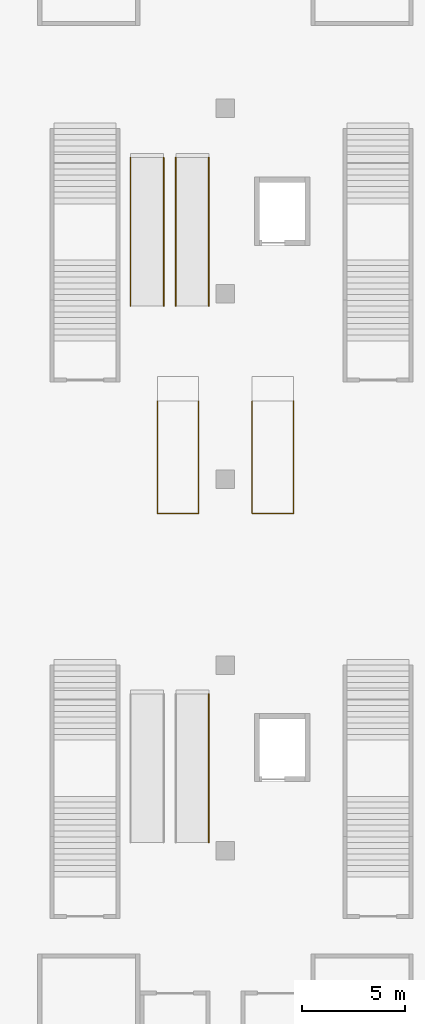
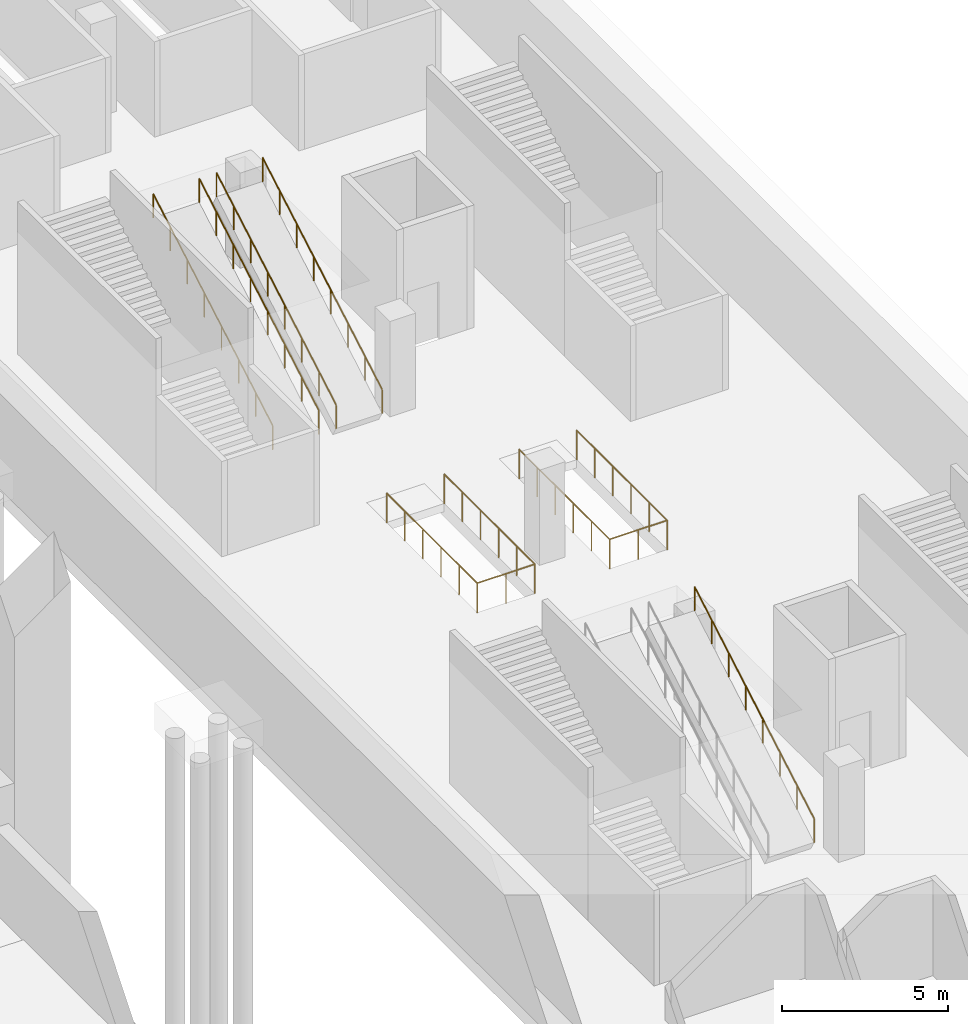
# One storey, part 112 of 115: 7 railings.
"""IFC4 building model written with IfcOpenShell, lengths in metres."""

from ifc_helpers import new_model, si_unit, direction, frame, origin, origin_2d, place, context, subcontext, project, spatial, circle, extrude, material, type_object, element, save


model = new_model("IFC4")

# Units and contexts
model_context = context("Model", 3, precision=1e-05, world=origin(), true_north=direction((0.0, 1.0)))
body_context = subcontext(model_context, "Body", "Model", "MODEL_VIEW")
ifc_project = project(units=[si_unit("LENGTHUNIT", "METRE"), si_unit("AREAUNIT", "SQUARE_METRE"), si_unit("VOLUMEUNIT", "CUBIC_METRE"), si_unit("PLANEANGLEUNIT", "RADIAN"), si_unit("MASSUNIT", "GRAM", prefix="KILO")], contexts=[model_context])

# Site, building, storey
site_placement = place(None, origin())
site = spatial("IfcSite", under=ifc_project, at=site_placement, CompositionType="ELEMENT")
building_placement = place(site_placement, origin())
building = spatial("IfcBuilding", under=site, at=building_placement, Name="Ogive Plaza Stadium", CompositionType="ELEMENT")
storey_placement = place(building_placement, frame((0.0, 0.0, -4.5)))
storey = spatial("IfcBuildingStorey", under=building, at=storey_placement, Name="B1", CompositionType="ELEMENT", Elevation=-4.5)

# Railings
ifc_material_1 = material(Name="Stainless steel", Category="steel")
railing_type_1 = type_object("IfcRailingType", Name="Escalator handrail 900", PredefinedType="HANDRAIL", material=ifc_material_1)
for number, where, name in (
    (1, (106.699951171875, -17.59423828125, 0.346435546875), "Escalator ES4 handrail 2"),
    (2, (102.89990234375, 8.40576171875, 0.346435546875), "Escalator ES5 handrail 1"),
    (3, (104.5, 8.40576171875, 0.346435546875), "Escalator ES5 handrail 2"),
    (4, (105.10009765625, 8.40576171875, 0.346435546875), "Escalator ES6 handrail 1"),
    (5, (106.699951171875, 8.40576171875, 0.346435546875), "Escalator ES6 handrail 2"),
):
    element("IfcRailing", number, at=place(storey_placement, frame(where)), inside=storey, type_object=railing_type_1, Name=name, PredefinedType="HANDRAIL", context=body_context, shape_type="SweptSolid", body=[
        extrude(circle(Radius=0.02392578125, at=origin_2d()), frame((0.0, 0.0, 0.8759765625), z_axis=(0.0, 0.866029956157, 0.499992114976), x_axis=(-1.0, 0.0, 0.0)), (0.0, 0.0, 1.0), 8.307373046875),
        extrude(circle(Radius=0.02099609375, at=origin_2d()), origin(), (0.0, 0.0, 1.0), 0.851806640625),
        extrude(circle(Radius=0.02099609375, at=origin_2d()), frame((0.0, 1.02783203125, 0.59326171875)), (0.0, 0.0, 1.0), 0.851806640625),
        extrude(circle(Radius=0.02099609375, at=origin_2d()), frame((0.0, 2.055419921875, 1.186767578125)), (0.0, 0.0, 1.0), 0.851806640625),
        extrude(circle(Radius=0.02099609375, at=origin_2d()), frame((0.0, 3.083251953125, 1.780029296875)), (0.0, 0.0, 1.0), 0.851806640625),
        extrude(circle(Radius=0.02099609375, at=origin_2d()), frame((0.0, 4.111083984375, 2.37353515625)), (0.0, 0.0, 1.0), 0.851806640625),
        extrude(circle(Radius=0.02099609375, at=origin_2d()), frame((0.0, 5.138916015625, 2.966796875)), (0.0, 0.0, 1.0), 0.851806640625),
        extrude(circle(Radius=0.02099609375, at=origin_2d()), frame((0.0, 6.16650390625, 3.560302734375)), (0.0, 0.0, 1.0), 0.851806640625),
        extrude(circle(Radius=0.02099609375, at=origin_2d()), frame((0.0, 7.1943359375, 4.153564453125)), (0.0, 0.0, 1.0), 0.851806640625),
    ])
ifc_material_2 = material(Name="Stainless steel", Category="steel")
railing_type_2 = type_object("IfcRailingType", Name="Station guard 1100", PredefinedType="GUARDRAIL", material=ifc_material_2)
railing_1_placement = place(storey_placement, frame((104.199951171875, 3.800048828125, 0.0)))
element("IfcRailing", 6, at=railing_1_placement, inside=storey, type_object=railing_type_2, Name="Station guard 1100 GR-ES1", PredefinedType="GUARDRAIL", context=body_context, shape_type="SweptSolid", body=[
    extrude(circle(Radius=0.02392578125, at=origin_2d()), frame((0.0, 0.0, 1.076171875), z_axis=(0.0, -1.0, 0.0), x_axis=(1.0, 0.0, 0.0)), (0.0, 0.0, 1.0), 5.44970703125),
    extrude(circle(Radius=0.02392578125, at=origin_2d()), frame((0.0, -5.44970703125, 1.076171875), z_axis=(1.0, 0.0, 0.0), x_axis=(0.0, 1.0, 0.0)), (0.0, 0.0, 1.0), 2.0),
    extrude(circle(Radius=0.02392578125, at=origin_2d()), frame((2.0, -5.44970703125, 1.076171875), z_axis=(0.0, 1.0, 0.0), x_axis=(-1.0, 0.0, 0.0)), (0.0, 0.0, 1.0), 5.44970703125),
    extrude(circle(Radius=0.02099609375, at=origin_2d()), origin(), (0.0, 0.0, 1.0), 1.052001953125),
    extrude(circle(Radius=0.02099609375, at=origin_2d()), frame((0.0, -1.08984375, 0.0)), (0.0, 0.0, 1.0), 1.052001953125),
    extrude(circle(Radius=0.02099609375, at=origin_2d()), frame((0.0, -2.179931640625, 0.0)), (0.0, 0.0, 1.0), 1.052001953125),
    extrude(circle(Radius=0.02099609375, at=origin_2d()), frame((0.0, -3.269775390625, 0.0)), (0.0, 0.0, 1.0), 1.052001953125),
    extrude(circle(Radius=0.02099609375, at=origin_2d()), frame((0.0, -4.35986328125, 0.0)), (0.0, 0.0, 1.0), 1.052001953125),
    extrude(circle(Radius=0.02099609375, at=origin_2d()), frame((0.0, -5.44970703125, 0.0)), (0.0, 0.0, 1.0), 1.052001953125),
    extrude(circle(Radius=0.02099609375, at=origin_2d()), frame((1.0, -5.44970703125, 0.0)), (0.0, 0.0, 1.0), 1.052001953125),
    extrude(circle(Radius=0.02099609375, at=origin_2d()), frame((2.0, -5.44970703125, 0.0)), (0.0, 0.0, 1.0), 1.052001953125),
    extrude(circle(Radius=0.02099609375, at=origin_2d()), frame((2.0, -4.35986328125, 0.0)), (0.0, 0.0, 1.0), 1.052001953125),
    extrude(circle(Radius=0.02099609375, at=origin_2d()), frame((2.0, -3.269775390625, 0.0)), (0.0, 0.0, 1.0), 1.052001953125),
    extrude(circle(Radius=0.02099609375, at=origin_2d()), frame((2.0, -2.179931640625, 0.0)), (0.0, 0.0, 1.0), 1.052001953125),
    extrude(circle(Radius=0.02099609375, at=origin_2d()), frame((2.0, -1.08984375, 0.0)), (0.0, 0.0, 1.0), 1.052001953125),
    extrude(circle(Radius=0.02099609375, at=origin_2d()), frame((2.0, 0.0, 0.0)), (0.0, 0.0, 1.0), 1.052001953125),
])
railing_2_placement = place(storey_placement, frame((108.800048828125, 3.800048828125, 0.0)))
element("IfcRailing", 7, at=railing_2_placement, inside=storey, type_object=railing_type_2, Name="Station guard 1100 GR-ES2", PredefinedType="GUARDRAIL", context=body_context, shape_type="SweptSolid", body=[
    extrude(circle(Radius=0.02392578125, at=origin_2d()), frame((0.0, 0.0, 1.076171875), z_axis=(0.0, -1.0, 0.0), x_axis=(1.0, 0.0, 0.0)), (0.0, 0.0, 1.0), 5.44970703125),
    extrude(circle(Radius=0.02392578125, at=origin_2d()), frame((0.0, -5.44970703125, 1.076171875), z_axis=(1.0, 0.0, 0.0), x_axis=(0.0, 1.0, 0.0)), (0.0, 0.0, 1.0), 2.0),
    extrude(circle(Radius=0.02392578125, at=origin_2d()), frame((2.0, -5.44970703125, 1.076171875), z_axis=(0.0, 1.0, 0.0), x_axis=(-1.0, 0.0, 0.0)), (0.0, 0.0, 1.0), 5.44970703125),
    extrude(circle(Radius=0.02099609375, at=origin_2d()), origin(), (0.0, 0.0, 1.0), 1.052001953125),
    extrude(circle(Radius=0.02099609375, at=origin_2d()), frame((0.0, -1.08984375, 0.0)), (0.0, 0.0, 1.0), 1.052001953125),
    extrude(circle(Radius=0.02099609375, at=origin_2d()), frame((0.0, -2.179931640625, 0.0)), (0.0, 0.0, 1.0), 1.052001953125),
    extrude(circle(Radius=0.02099609375, at=origin_2d()), frame((0.0, -3.269775390625, 0.0)), (0.0, 0.0, 1.0), 1.052001953125),
    extrude(circle(Radius=0.02099609375, at=origin_2d()), frame((0.0, -4.35986328125, 0.0)), (0.0, 0.0, 1.0), 1.052001953125),
    extrude(circle(Radius=0.02099609375, at=origin_2d()), frame((0.0, -5.44970703125, 0.0)), (0.0, 0.0, 1.0), 1.052001953125),
    extrude(circle(Radius=0.02099609375, at=origin_2d()), frame((1.0, -5.44970703125, 0.0)), (0.0, 0.0, 1.0), 1.052001953125),
    extrude(circle(Radius=0.02099609375, at=origin_2d()), frame((2.0, -5.44970703125, 0.0)), (0.0, 0.0, 1.0), 1.052001953125),
    extrude(circle(Radius=0.02099609375, at=origin_2d()), frame((2.0, -4.35986328125, 0.0)), (0.0, 0.0, 1.0), 1.052001953125),
    extrude(circle(Radius=0.02099609375, at=origin_2d()), frame((2.0, -3.269775390625, 0.0)), (0.0, 0.0, 1.0), 1.052001953125),
    extrude(circle(Radius=0.02099609375, at=origin_2d()), frame((2.0, -2.179931640625, 0.0)), (0.0, 0.0, 1.0), 1.052001953125),
    extrude(circle(Radius=0.02099609375, at=origin_2d()), frame((2.0, -1.08984375, 0.0)), (0.0, 0.0, 1.0), 1.052001953125),
    extrude(circle(Radius=0.02099609375, at=origin_2d()), frame((2.0, 0.0, 0.0)), (0.0, 0.0, 1.0), 1.052001953125),
])

save(model, "model.ifc")
